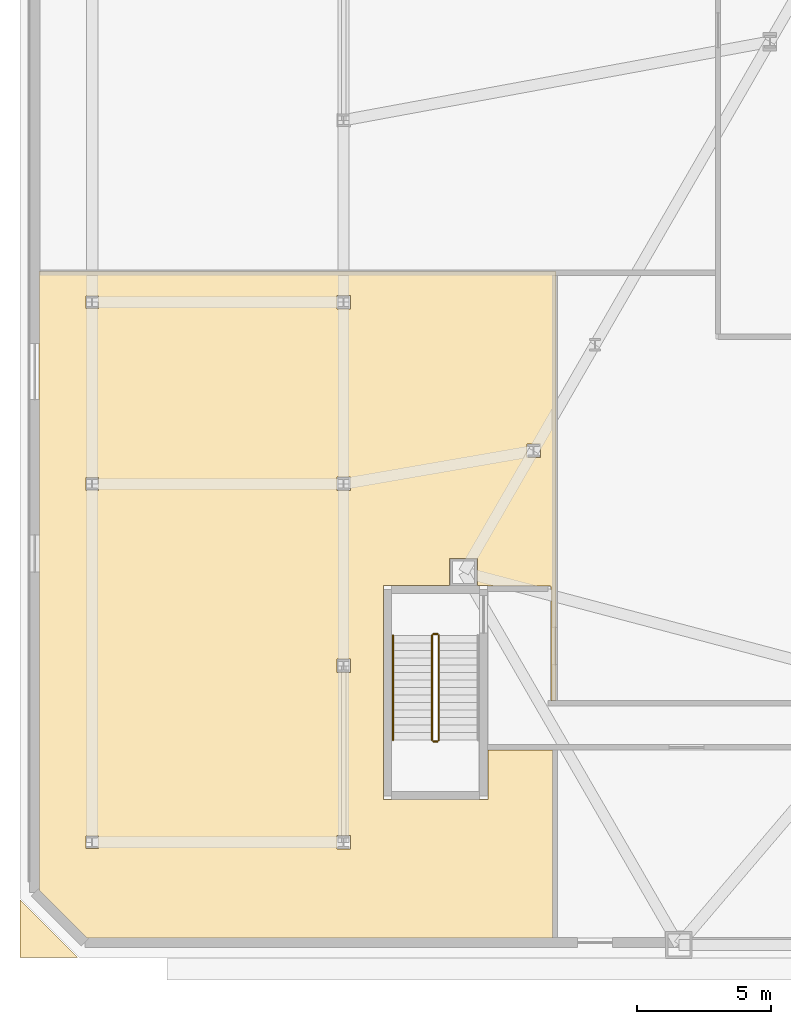
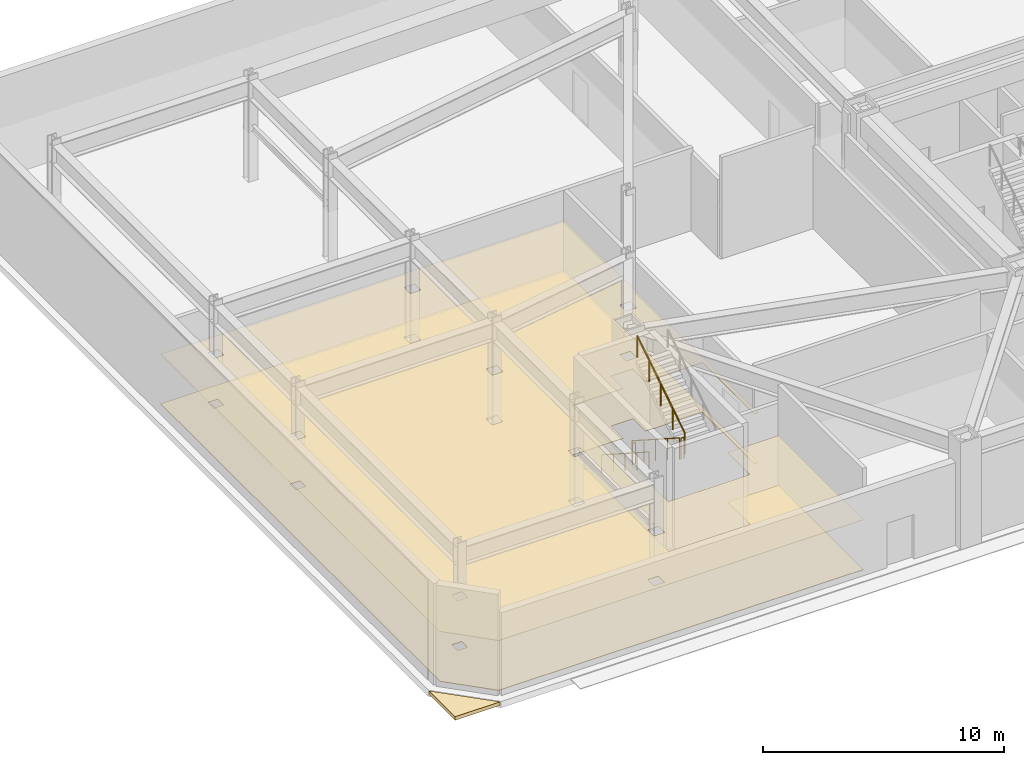
# One storey, part 8 of 12: 5 railings, 3 coverings.
"""IFC4 building model written with IfcOpenShell, lengths in metres."""

import ifcopenshell
import ifcopenshell.guid

model = None  # the IFC model being written
_history = None  # IfcOwnerHistory: only IFC2X3 demands one
_inside = {}  # id of a spatial element -> (the spatial element, [elements in it])
_under = {}  # id of a project, library or spatial element -> (it, [spatial elements below it])
_declared = {}  # id of a project -> (the project, [libraries it declares])
_typed = {}  # id of a type object -> (the type object, [elements of that type])
_made_of = {}  # id of a material, layer set ... -> (it, [elements and type objects made of it])


def new_model(schema):
    """Start an empty IFC model of exactly this schema.

    Asked for "IFC4X3", IfcOpenShell would pick the latest addendum, in which some entities
    have other attributes; the version numbers below select the first issue.
    IFC2X3 requires an IfcOwnerHistory on every rooted entity: one is made here for all.
    """
    global model, _history
    if schema == "IFC4X3":
        model = ifcopenshell.file(schema_version=(4, 3, 0, 0))
    else:
        model = ifcopenshell.file(schema=schema)
    _inside.clear()
    _under.clear()
    _declared.clear()
    _typed.clear()
    _made_of.clear()
    _history = None
    if model.schema == "IFC2X3":
        org = make("IfcOrganization", Name="unknown")
        user = make(
            "IfcPersonAndOrganization",
            ThePerson=make("IfcPerson", FamilyName="unknown"),
            TheOrganization=org,
        )
        app = make(
            "IfcApplication",
            ApplicationDeveloper=org,
            Version="unknown",
            ApplicationFullName="unknown",
            ApplicationIdentifier="unknown",
        )
        _history = make(
            "IfcOwnerHistory",
            OwningUser=user,
            OwningApplication=app,
            ChangeAction="ADDED",
            CreationDate=0,
        )
    return model


def make(cls, **values):
    """One entity of the class cls with the attributes given. An attribute that is None is left unset."""
    return model.create_entity(
        cls, **{name: value for name, value in values.items() if value is not None}
    )


def rooted(cls, **values):
    """An entity with a GlobalId (a new one), such as an element, a storey or a relation."""
    return make(cls, GlobalId=ifcopenshell.guid.new(), OwnerHistory=_history, **values)


def si_unit(unit_type, name, prefix=None):
    """IfcSIUnit, for example si_unit("LENGTHUNIT", "METRE", prefix="MILLI")."""
    return make("IfcSIUnit", UnitType=unit_type, Prefix=prefix, Name=name)


def assignment(units):
    """IfcUnitAssignment: the units of a project."""
    return None if units is None else make("IfcUnitAssignment", Units=units)


def point(xyz):
    """IfcCartesianPoint."""
    return None if xyz is None else make("IfcCartesianPoint", Coordinates=xyz)


def direction(xyz):
    """IfcDirection."""
    return None if xyz is None else make("IfcDirection", DirectionRatios=xyz)


def frame(location, z_axis=None, x_axis=None):
    """IfcAxis2Placement3D, a coordinate frame: its origin and axes. An axis left out is left unset."""
    return make(
        "IfcAxis2Placement3D",
        Location=point(location),
        Axis=direction(z_axis),
        RefDirection=direction(x_axis),
    )


def frame_2d(location, x_axis=None):
    """IfcAxis2Placement2D, a coordinate frame in the plane: its origin and x axis."""
    return make(
        "IfcAxis2Placement2D", Location=point(location), RefDirection=direction(x_axis)
    )


def origin():
    """The frame at (0, 0, 0) with its axes left unset."""
    return frame((0.0, 0.0, 0.0))


def origin_2d():
    """The frame at (0, 0) in the plane with its x axis left unset."""
    return frame_2d((0.0, 0.0))


def place(relative_to, where):
    """IfcLocalPlacement: puts the frame where relative to a parent placement (None: the world)."""
    return make(
        "IfcLocalPlacement", PlacementRelTo=relative_to, RelativePlacement=where
    )


def context(
    kind, dimensions, precision=None, world=None, true_north=None, identifier=None
):
    """IfcGeometricRepresentationContext, for example the 3D "Model" context."""
    return make(
        "IfcGeometricRepresentationContext",
        ContextIdentifier=identifier,
        ContextType=kind,
        CoordinateSpaceDimension=dimensions,
        Precision=precision,
        WorldCoordinateSystem=world,
        TrueNorth=true_north,
    )


def subcontext(parent, identifier, kind, view, scale=None):
    """IfcGeometricRepresentationSubContext, for example "Body" below "Model"."""
    return make(
        "IfcGeometricRepresentationSubContext",
        ContextIdentifier=identifier,
        ContextType=kind,
        ParentContext=parent,
        TargetScale=scale,
        TargetView=view,
    )


def project(units=None, contexts=None):
    """IfcProject with its units and contexts."""
    return rooted(
        "IfcProject",
        Name="project",
        RepresentationContexts=contexts,
        UnitsInContext=assignment(units),
    )


def spatial(cls, under=None, at=None, **own):
    """A site, building, storey or space (cls), placed at a placement, below another one or the project."""
    s = rooted(cls, ObjectPlacement=at, **own)
    if under is not None:
        _under.setdefault(under.id(), (under, []))[1].append(s)
    return s


def polyline(points):
    """IfcPolyline through the points."""
    return make("IfcPolyline", Points=[point(p) for p in points])


def profile(cls, at=None, kind="AREA", **sizes):
    """A parametric profile (cls). Its sizes go by their IFC names, for example OverallWidth=200.0."""
    return make(cls, ProfileType=kind, Position=at, **sizes)


def circle(**sizes):
    """IfcCircleProfileDef."""
    return profile("IfcCircleProfileDef", **sizes)


def outline(outer, holes=None, kind="AREA"):
    """IfcArbitraryClosedProfileDef: a profile drawn as a closed curve; with holes, ...WithVoids."""
    if holes is None:
        return make("IfcArbitraryClosedProfileDef", ProfileType=kind, OuterCurve=outer)
    return make(
        "IfcArbitraryProfileDefWithVoids",
        ProfileType=kind,
        OuterCurve=outer,
        InnerCurves=holes,
    )


def extrude(swept, where, along, depth):
    """IfcExtrudedAreaSolid: the profile swept, set in the frame where, extruded along a direction by depth."""
    return make(
        "IfcExtrudedAreaSolid",
        SweptArea=swept,
        Position=where,
        ExtrudedDirection=direction(along),
        Depth=depth,
    )


def shape(context_of_items, identifier, shape_type, items):
    """IfcShapeRepresentation: the items that make up one representation, for example the "Body"."""
    return make(
        "IfcShapeRepresentation",
        ContextOfItems=context_of_items,
        RepresentationIdentifier=identifier,
        RepresentationType=shape_type,
        Items=items,
    )


def material(Name=None, Category=None):
    """IfcMaterial."""
    return make("IfcMaterial", Name=Name, Category=Category)


def layer(
    of_material, thickness, ventilated=None, Name=None, Category=None, Priority=None
):
    """IfcMaterialLayer: one layer of a wall or slab, of a material (None: an air gap)."""
    return make(
        "IfcMaterialLayer",
        Material=of_material,
        LayerThickness=thickness,
        IsVentilated=ventilated,
        Name=Name,
        Category=Category,
        Priority=Priority,
    )


def layer_set(layers, Name=None):
    """IfcMaterialLayerSet."""
    return make("IfcMaterialLayerSet", MaterialLayers=layers, LayerSetName=Name)


def made_of(thing, what):
    """Note that an element or type object is made of a material, layer set ...; save() writes the relation."""
    if what is not None:
        _made_of.setdefault(what.id(), (what, []))[1].append(thing)
    return thing


def type_object(cls, material=None, **own):
    """A type object (cls), such as IfcWallType, which elements share."""
    return made_of(rooted(cls, **own), material)


def element(
    cls,
    number,
    at=None,
    inside=None,
    cuts=None,
    type_object=None,
    material=None,
    context=None,
    identifier="Body",
    shape_type=None,
    held_by="IfcProductDefinitionShape",
    body=None,
    shapes=None,
    **own,
):
    """One element of the class cls, such as IfcWall. Its Tag is "e" and its number.

    at: its placement. inside: the storey or other place that contains it. cuts: it is an
    opening in that element (IfcRelVoidsElement). A single representation is given by context,
    identifier, shape_type and body (its items); several are given by shapes. held_by: the class
    of the entity that holds the representations. save() writes the other relations.
    """
    e = rooted(cls, Tag="e%d" % number, ObjectPlacement=at, **own)
    if body is not None:
        shapes = [shape(context, identifier, shape_type, body)]
    if shapes is not None:
        e.Representation = make(held_by, Representations=shapes)
    if inside is not None:
        _inside.setdefault(inside.id(), (inside, []))[1].append(e)
    if cuts is not None:
        rooted(
            "IfcRelVoidsElement", RelatingBuildingElement=cuts, RelatedOpeningElement=e
        )
    if type_object is not None:
        _typed.setdefault(type_object.id(), (type_object, []))[1].append(e)
    return made_of(e, material)


def aggregate(whole, parts):
    """IfcRelAggregates: a whole, such as a stair, and the parts it consists of."""
    return rooted("IfcRelAggregates", RelatingObject=whole, RelatedObjects=parts)


def save(model, path):
    """Write the relations noted so far, then the file.

    IfcRelAggregates (storeys below a building ...), IfcRelContainedInSpatialStructure (elements
    in a storey), IfcRelDefinesByType, IfcRelAssociatesMaterial and IfcRelDeclares: one each for
    every whole, place, type object, material and project.
    """
    for whole, parts in _under.values():
        aggregate(whole, parts)
    for where, things in _inside.values():
        rooted(
            "IfcRelContainedInSpatialStructure",
            RelatedElements=things,
            RelatingStructure=where,
        )
    for kind, things in _typed.values():
        rooted("IfcRelDefinesByType", RelatedObjects=things, RelatingType=kind)
    for what, things in _made_of.values():
        rooted("IfcRelAssociatesMaterial", RelatedObjects=things, RelatingMaterial=what)
    for by, libraries in _declared.values():
        rooted("IfcRelDeclares", RelatingContext=by, RelatedDefinitions=libraries)
    model.write(path)


model = new_model("IFC4")

# Units and contexts
model_context = context("Model", 3, precision=1e-05, world=origin(), true_north=direction((0.0, 1.0)))
body_context = subcontext(model_context, "Body", "Model", "MODEL_VIEW")
ifc_project = project(units=[si_unit("LENGTHUNIT", "METRE"), si_unit("AREAUNIT", "SQUARE_METRE"), si_unit("VOLUMEUNIT", "CUBIC_METRE"), si_unit("PLANEANGLEUNIT", "RADIAN"), si_unit("MASSUNIT", "GRAM", prefix="KILO")], contexts=[model_context])

# Site, building, storey
site_placement = place(None, origin())
site = spatial("IfcSite", under=ifc_project, at=site_placement, CompositionType="ELEMENT")
building_placement = place(site_placement, origin())
building = spatial("IfcBuilding", under=site, at=building_placement, Name="Oramaril Tower", CompositionType="ELEMENT")
storey_placement = place(building_placement, origin())
storey = spatial("IfcBuildingStorey", under=building, at=storey_placement, Name="L00", CompositionType="ELEMENT", Elevation=0.0)

# Coverings
ifc_material_1 = material(Name="Mineral Fibre Acoustic Ceiling")
ifc_layer_1 = layer(ifc_material_1, 0.02001953125)
ifc_layer_set_1 = layer_set([ifc_layer_1], Name="CVT-CEIL")
covering_type_1 = type_object("IfcCoveringType", Name="CVT-CEIL", PredefinedType="CEILING", material=ifc_layer_set_1)
covering_1_placement = place(storey_placement, frame((0.0, 0.0, 2.52197265625)))
element("IfcCovering", 1, at=covering_1_placement, inside=storey, type_object=covering_type_1, Name="L00 Acoustic Suspended Ceiling 10", PredefinedType="CEILING", context=body_context, shape_type="SweptSolid", body=[
    extrude(outline(polyline([(-1.002685546875, 1.617919921875), (-2.781982421875, 3.3974609375), (-2.781982421875, 26.5419921875), (16.5419921875, 26.5419921875), (16.5419921875, 10.5), (16.35009765625, 10.5), (16.35009765625, 14.760009765625), (16.349853515625, 14.761962890625), (16.349609375, 14.763916015625), (16.34912109375, 14.765869140625), (16.348388671875, 14.767578125), (16.34765625, 14.769287109375), (16.3466796875, 14.77099609375), (16.345458984375, 14.772705078125), (16.343994140625, 14.774169921875), (16.3427734375, 14.775390625), (16.341064453125, 14.776611328125), (16.33935546875, 14.777587890625), (16.337646484375, 14.778564453125), (16.335693359375, 14.779052734375), (16.333984375, 14.779541015625), (16.33203125, 14.77978515625), (16.330078125, 14.780029296875), (14.0, 14.780029296875), (14.0, 14.800048828125), (13.609619140625, 14.800048828125), (13.609619140625, 15.820068359375), (12.569580078125, 15.820068359375), (12.569580078125, 14.800048828125), (10.10009765625, 14.800048828125), (10.10009765625, 6.800048828125), (14.0, 6.800048828125), (14.0, 8.64990234375), (16.43798828125, 8.64990234375), (16.43798828125, 1.617919921875), (-1.002685546875, 1.617919921875)]), holes=[polyline([(-0.56298828125, 4.962890625), (-0.56298828125, 5.43701171875), (-1.037109375, 5.43701171875), (-1.037109375, 4.962890625), (-0.56298828125, 4.962890625)]), polyline([(8.8525390625, 4.947509765625), (8.8525390625, 5.452392578125), (8.347412109375, 5.452392578125), (8.347412109375, 4.947509765625), (8.8525390625, 4.947509765625)]), polyline([(8.8525390625, 11.547607421875), (8.8525390625, 12.052490234375), (8.347412109375, 12.052490234375), (8.347412109375, 11.547607421875), (8.8525390625, 11.547607421875)]), polyline([(-0.56298828125, 18.363037109375), (-0.56298828125, 18.8369140625), (-1.037109375, 18.8369140625), (-1.037109375, 18.363037109375), (-0.56298828125, 18.363037109375)]), polyline([(8.8525390625, 18.347412109375), (8.8525390625, 18.8525390625), (8.347412109375, 18.8525390625), (8.347412109375, 18.347412109375), (8.8525390625, 18.347412109375)]), polyline([(15.960205078125, 20.0869140625), (15.455078125, 20.0869140625), (15.455078125, 19.581787109375), (15.960205078125, 19.581787109375), (15.960205078125, 20.0869140625)]), polyline([(-0.56298828125, 25.1630859375), (-0.56298828125, 25.636962890625), (-1.037109375, 25.636962890625), (-1.037109375, 25.1630859375), (-0.56298828125, 25.1630859375)]), polyline([(8.8525390625, 25.652587890625), (8.347412109375, 25.652587890625), (8.347412109375, 25.1474609375), (8.8525390625, 25.1474609375), (8.8525390625, 25.652587890625)])]), origin(), (0.0, 0.0, 1.0), 0.02001953125),
])
ifc_material_2 = material(Name="Honed Quartzite Stone Flooring", Category="masonry")
ifc_layer_2 = layer(ifc_material_2, 0.02490234375)
ifc_layer_set_2 = layer_set([ifc_layer_2], Name="CVT-FLR")
covering_type_2 = type_object("IfcCoveringType", Name="CVT-FLR", PredefinedType="FLOORING", material=ifc_layer_set_2)
covering_2_placement = place(storey_placement, origin())
element("IfcCovering", 2, at=covering_2_placement, inside=storey, type_object=covering_type_2, Name="L00 Honed Stone Floor Finish 10", PredefinedType="FLOORING", context=body_context, shape_type="SweptSolid", body=[
    extrude(outline(polyline([(-1.002685546875, 1.617919921875), (-2.781982421875, 3.3974609375), (-2.781982421875, 26.5419921875), (16.5419921875, 26.5419921875), (16.5419921875, 10.5), (16.35009765625, 10.5), (16.35009765625, 14.760009765625), (16.349853515625, 14.761962890625), (16.349609375, 14.763916015625), (16.34912109375, 14.765869140625), (16.348388671875, 14.767578125), (16.34765625, 14.769287109375), (16.3466796875, 14.77099609375), (16.345458984375, 14.772705078125), (16.343994140625, 14.774169921875), (16.3427734375, 14.775390625), (16.341064453125, 14.776611328125), (16.33935546875, 14.777587890625), (16.337646484375, 14.778564453125), (16.335693359375, 14.779052734375), (16.333984375, 14.779541015625), (16.33203125, 14.77978515625), (16.330078125, 14.780029296875), (14.0, 14.780029296875), (14.0, 14.800048828125), (13.609619140625, 14.800048828125), (13.609619140625, 15.820068359375), (12.569580078125, 15.820068359375), (12.569580078125, 14.800048828125), (10.10009765625, 14.800048828125), (10.10009765625, 6.800048828125), (14.0, 6.800048828125), (14.0, 8.64990234375), (16.43798828125, 8.64990234375), (16.43798828125, 1.617919921875), (-1.002685546875, 1.617919921875)]), holes=[polyline([(-0.56298828125, 4.962890625), (-0.56298828125, 5.43701171875), (-1.037109375, 5.43701171875), (-1.037109375, 4.962890625), (-0.56298828125, 4.962890625)]), polyline([(8.8525390625, 4.947509765625), (8.8525390625, 5.452392578125), (8.347412109375, 5.452392578125), (8.347412109375, 4.947509765625), (8.8525390625, 4.947509765625)]), polyline([(8.8525390625, 11.547607421875), (8.8525390625, 12.052490234375), (8.347412109375, 12.052490234375), (8.347412109375, 11.547607421875), (8.8525390625, 11.547607421875)]), polyline([(-0.56298828125, 18.363037109375), (-0.56298828125, 18.8369140625), (-1.037109375, 18.8369140625), (-1.037109375, 18.363037109375), (-0.56298828125, 18.363037109375)]), polyline([(8.8525390625, 18.347412109375), (8.8525390625, 18.8525390625), (8.347412109375, 18.8525390625), (8.347412109375, 18.347412109375), (8.8525390625, 18.347412109375)]), polyline([(15.960205078125, 20.0869140625), (15.455078125, 20.0869140625), (15.455078125, 19.581787109375), (15.960205078125, 19.581787109375), (15.960205078125, 20.0869140625)]), polyline([(-0.56298828125, 25.1630859375), (-0.56298828125, 25.636962890625), (-1.037109375, 25.636962890625), (-1.037109375, 25.1630859375), (-0.56298828125, 25.1630859375)]), polyline([(8.8525390625, 25.652587890625), (8.347412109375, 25.652587890625), (8.347412109375, 25.1474609375), (8.8525390625, 25.1474609375), (8.8525390625, 25.652587890625)])]), origin(), (0.0, 0.0, 1.0), 0.02490234375),
])
ifc_material_3 = material(Name="Concrete C40/50", Category="concrete")
ifc_layer_3 = layer(ifc_material_3, 0.179931640625)
ifc_layer_set_3 = layer_set([ifc_layer_3], Name="CVT-PAV18")
covering_type_3 = type_object("IfcCoveringType", Name="CVT-PAV18", PredefinedType="USERDEFINED", material=ifc_layer_set_3)
covering_3_placement = place(storey_placement, frame((0.0, 0.0, -0.179931640625)))
element("IfcCovering", 3, at=covering_3_placement, inside=storey, type_object=covering_type_3, Name="L00 Grade Corner Entry Paving APR-SW", ObjectType="PAVING", PredefinedType="USERDEFINED", context=body_context, shape_type="SweptSolid", body=[
    extrude(outline(polyline([(-3.5, 0.89990234375), (-1.35009765625, 0.89990234375), (-3.5, 3.050048828125), (-3.5, 0.89990234375)])), origin(), (0.0, 0.0, 1.0), 0.179931640625),
])

# Railings
ifc_material_4 = material(Name="Stainless Steel 316L", Category="steel")
railing_type_1 = type_object("IfcRailingType", Name="RLT-GRD", PredefinedType="GUARDRAIL", material=ifc_material_4)
railing_1_placement = place(storey_placement, frame((11.909912109375, 12.93994140625, 0.179931640625)))
element("IfcRailing", 4, at=railing_1_placement, inside=storey, type_object=railing_type_1, Name="L00 ST-3 stair guard 1", PredefinedType="GUARDRAIL", context=body_context, shape_type="SweptSolid", body=[
    extrude(circle(Radius=0.02392578125, at=origin_2d()), frame((0.0, 0.0, 1.076171875), z_axis=(0.0, -0.841171666519, 0.540768182723), x_axis=(1.0, 0.0, 0.0)), (0.0, 0.0, 1.0), 4.66015625),
    extrude(circle(Radius=0.02099609375, at=origin_2d()), origin(), (0.0, 0.0, 1.0), 1.052001953125),
    extrude(circle(Radius=0.02099609375, at=origin_2d()), frame((0.0, -0.97998046875, 0.6298828125)), (0.0, 0.0, 1.0), 1.052001953125),
    extrude(circle(Radius=0.02099609375, at=origin_2d()), frame((0.0, -1.9599609375, 1.260009765625)), (0.0, 0.0, 1.0), 1.052001953125),
    extrude(circle(Radius=0.02099609375, at=origin_2d()), frame((0.0, -2.93994140625, 1.89013671875)), (0.0, 0.0, 1.0), 1.052001953125),
    extrude(circle(Radius=0.02099609375, at=origin_2d()), frame((0.0, -3.919921875, 2.52001953125)), (0.0, 0.0, 1.0), 1.052001953125),
])
railing_2_placement = place(storey_placement, frame((11.9599609375, 8.969970703125, 2.699951171875)))
element("IfcRailing", 5, at=railing_2_placement, inside=storey, type_object=railing_type_1, Name="L00 ST-3 stair guard 2", PredefinedType="GUARDRAIL", context=body_context, shape_type="SweptSolid", body=[
    extrude(circle(Radius=0.02392578125, at=origin_2d()), frame((0.0, 0.0, 1.076171875), z_axis=(1.0, 0.0, 0.0), x_axis=(0.0, 1.0, 0.0)), (0.0, 0.0, 1.0), 0.150146484375),
    extrude(circle(Radius=0.02099609375, at=origin_2d()), origin(), (0.0, 0.0, 1.0), 1.052001953125),
    extrude(circle(Radius=0.02099609375, at=origin_2d()), frame((0.150146484375, 0.0, 0.0)), (0.0, 0.0, 1.0), 1.052001953125),
])
railing_3_placement = place(storey_placement, frame((12.159912109375, 9.02001953125, 2.8798828125)))
element("IfcRailing", 6, at=railing_3_placement, inside=storey, type_object=railing_type_1, Name="L00 ST-3 stair guard 3", PredefinedType="GUARDRAIL", context=body_context, shape_type="SweptSolid", body=[
    extrude(circle(Radius=0.02392578125, at=origin_2d()), frame((0.0, 0.0, 1.076171875), z_axis=(0.0, 0.841171666519, 0.540768182723), x_axis=(-1.0, 0.0, 0.0)), (0.0, 0.0, 1.0), 4.66015625),
    extrude(circle(Radius=0.02099609375, at=origin_2d()), origin(), (0.0, 0.0, 1.0), 1.052001953125),
    extrude(circle(Radius=0.02099609375, at=origin_2d()), frame((0.0, 0.97998046875, 0.6298828125)), (0.0, 0.0, 1.0), 1.052001953125),
    extrude(circle(Radius=0.02099609375, at=origin_2d()), frame((0.0, 1.9599609375, 1.260009765625)), (0.0, 0.0, 1.0), 1.052001953125),
    extrude(circle(Radius=0.02099609375, at=origin_2d()), frame((0.0, 2.93994140625, 1.89013671875)), (0.0, 0.0, 1.0), 1.052001953125),
    extrude(circle(Radius=0.02099609375, at=origin_2d()), frame((0.0, 3.919921875, 2.52001953125)), (0.0, 0.0, 1.0), 1.052001953125),
])
railing_4_placement = place(storey_placement, frame((11.9599609375, 12.989990234375, 0.0)))
element("IfcRailing", 7, at=railing_4_placement, inside=storey, type_object=railing_type_1, Name="L00 ST-3 stair guard 4", PredefinedType="GUARDRAIL", context=body_context, shape_type="SweptSolid", body=[
    extrude(circle(Radius=0.02392578125, at=origin_2d()), frame((0.0, 0.0, 1.076171875), z_axis=(1.0, 0.0, 0.0), x_axis=(0.0, 1.0, 0.0)), (0.0, 0.0, 1.0), 0.150146484375),
    extrude(circle(Radius=0.02099609375, at=origin_2d()), origin(), (0.0, 0.0, 1.0), 1.052001953125),
    extrude(circle(Radius=0.02099609375, at=origin_2d()), frame((0.150146484375, 0.0, 0.0)), (0.0, 0.0, 1.0), 1.052001953125),
])
ifc_material_5 = material(Name="Stainless Steel 316L", Category="steel")
railing_type_2 = type_object("IfcRailingType", Name="RLT-HND", PredefinedType="HANDRAIL", material=ifc_material_5)
railing_5_placement = place(storey_placement, frame((10.449951171875, 12.93994140625, 0.179931640625)))
element("IfcRailing", 8, at=railing_5_placement, inside=storey, type_object=railing_type_2, Name="L00 ST-3 stair handrail 1", PredefinedType="HANDRAIL", context=body_context, shape_type="SweptSolid", body=[
    extrude(circle(Radius=0.02392578125, at=origin_2d()), frame((0.0, 0.0, 0.8759765625), z_axis=(0.0, -0.841171666519, 0.540768182723), x_axis=(1.0, 0.0, 0.0)), (0.0, 0.0, 1.0), 4.66015625),
    extrude(circle(Radius=0.02099609375, at=origin_2d()), origin(), (0.0, 0.0, 1.0), 0.851806640625),
    extrude(circle(Radius=0.02099609375, at=origin_2d()), frame((0.0, -0.97998046875, 0.6298828125)), (0.0, 0.0, 1.0), 0.851806640625),
    extrude(circle(Radius=0.02099609375, at=origin_2d()), frame((0.0, -1.9599609375, 1.260009765625)), (0.0, 0.0, 1.0), 0.851806640625),
    extrude(circle(Radius=0.02099609375, at=origin_2d()), frame((0.0, -2.93994140625, 1.89013671875)), (0.0, 0.0, 1.0), 0.851806640625),
    extrude(circle(Radius=0.02099609375, at=origin_2d()), frame((0.0, -3.919921875, 2.52001953125)), (0.0, 0.0, 1.0), 0.851806640625),
])

save(model, "model.ifc")
